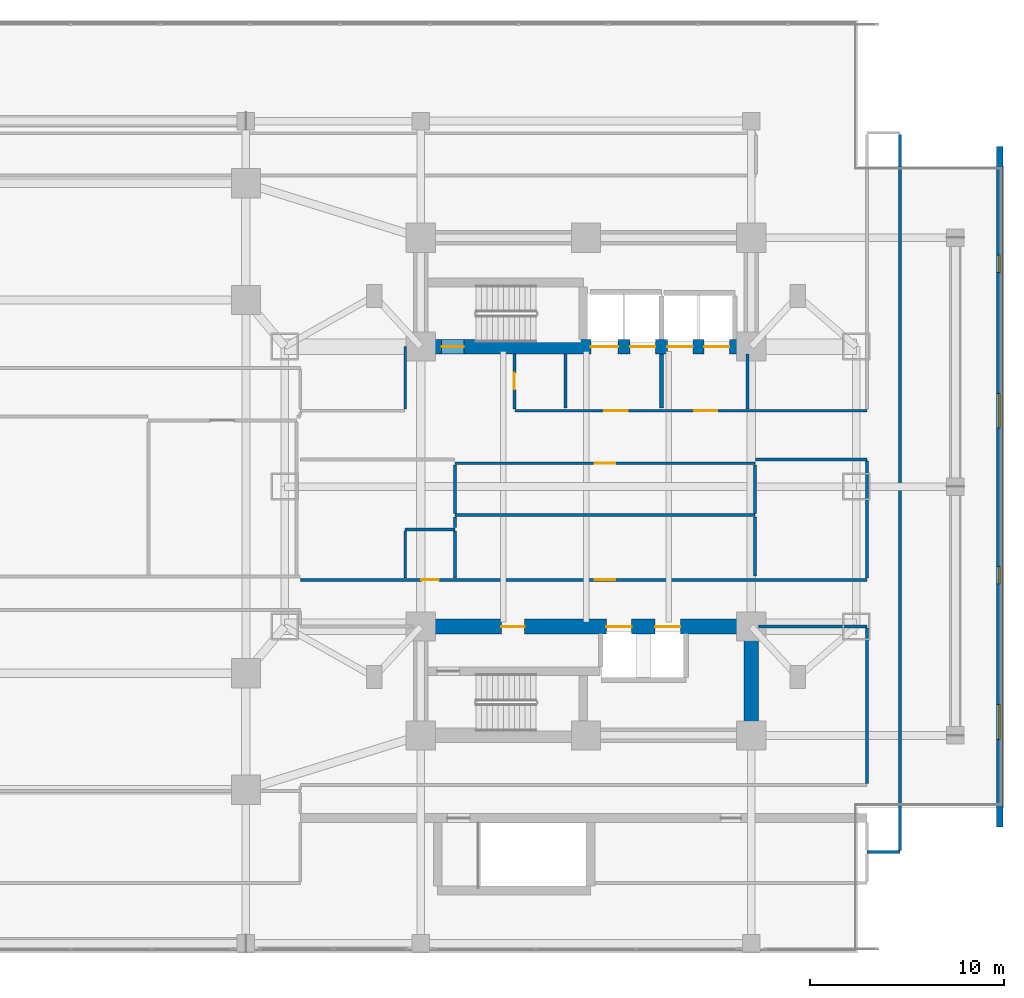
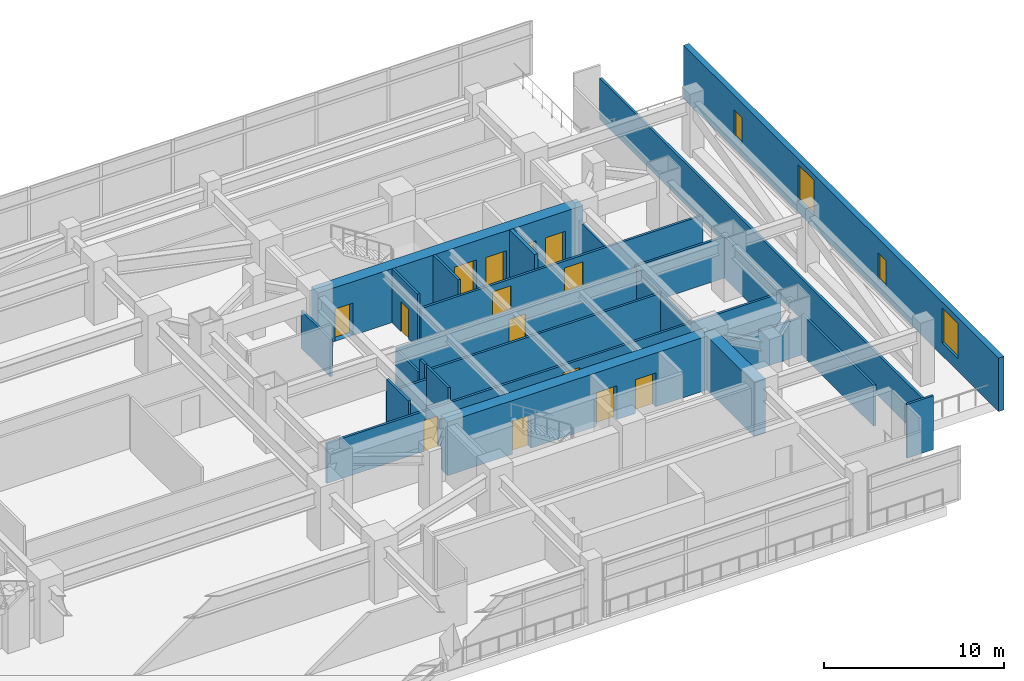
# One storey, part 19 of 27: 26 walls, 14 doors, 4 windows, 18 openings.
"""IFC4 building model written with IfcOpenShell, lengths in metres."""

from ifc_helpers import new_model, si_unit, direction, frame, frame_2d, origin, place, context, subcontext, project, spatial, rectangle, extrude, material, layer, layer_set, type_object, element, fill, save


model = new_model("IFC4")

# Units and contexts
model_context = context("Model", 3, precision=1e-05, world=origin(), true_north=direction((0.0, 1.0)))
body_context = subcontext(model_context, "Body", "Model", "MODEL_VIEW")
ifc_project = project(units=[si_unit("LENGTHUNIT", "METRE"), si_unit("AREAUNIT", "SQUARE_METRE"), si_unit("VOLUMEUNIT", "CUBIC_METRE"), si_unit("PLANEANGLEUNIT", "RADIAN"), si_unit("MASSUNIT", "GRAM", prefix="KILO")], contexts=[model_context])

# Site, building, storey
site_placement = place(None, origin())
site = spatial("IfcSite", under=ifc_project, at=site_placement, CompositionType="ELEMENT")
building_placement = place(site_placement, origin())
building = spatial("IfcBuilding", under=site, at=building_placement, Name="Mirazonda Arch Towers", CompositionType="ELEMENT")
storey_placement = place(building_placement, frame((0.0, 0.0, 18.10009765625)))
storey = spatial("IfcBuildingStorey", under=building, at=storey_placement, Name="L04", CompositionType="ELEMENT", Elevation=18.10009765625)

# Wall, openings, doors
ifc_material_1 = material(Name="Concrete C60/75", Category="concrete")
ifc_layer_1 = layer(ifc_material_1, 0.75, Name="WALL-CORE-750")
ifc_layer_set_1 = layer_set([ifc_layer_1], Name="Concrete C60/75")
wall_type_1 = type_object("IfcWallType", Name="WALL-CORE-750", PredefinedType="SHEAR", material=ifc_layer_set_1)
wall_1_placement = place(storey_placement, frame((68.0, 35.199951171875, 0.0), z_axis=(0.0, 0.0, 1.0), x_axis=(1.0, 0.0, 0.0)))
wall_1 = element("IfcWall", 1, at=wall_1_placement, inside=storey, type_object=wall_type_1, Name="L04 T2N-S Core Shear Wall", PredefinedType="SHEAR", context=body_context, shape_type="SweptSolid", body=[
    extrude(rectangle(XDim=17.0, YDim=0.75, at=frame_2d((8.5, 0.0))), origin(), (0.0, 0.0, 1.0), 3.64990234375),
])
opening_1_placement = place(wall_1_placement, frame((1.070068359375, 0.0, 0.0)))
opening_1 = element("IfcOpeningElement", 2, at=opening_1_placement, cuts=wall_1, Name="Opening DR-135", PredefinedType="OPENING", context=body_context, shape_type="SweptSolid", body=[
    extrude(rectangle(XDim=1.14990234375, YDim=2.199951171875, at=frame_2d((0.574951171875, 1.10009765625))), frame((0.0, 0.385009765625, 0.0), z_axis=(0.0, -1.0, 0.0), x_axis=(1.0, 0.0, 0.0)), (0.0, 0.0, 1.0), 0.77001953125),
])
opening_2_placement = place(wall_1_placement, frame((8.75, 0.0, 0.0)))
opening_2 = element("IfcOpeningElement", 3, at=opening_2_placement, cuts=wall_1, Name="Opening LD-112", PredefinedType="OPENING", context=body_context, shape_type="SweptSolid", body=[
    extrude(rectangle(XDim=1.39990234375, YDim=2.35009765625, at=frame_2d((0.699951171875, 1.175048828125))), frame((0.0, 0.385009765625, 0.0), z_axis=(0.0, -1.0, 0.0), x_axis=(1.0, 0.0, 0.0)), (0.0, 0.0, 1.0), 0.77001953125),
])
opening_3_placement = place(wall_1_placement, frame((10.77001953125, 0.0, 0.0)))
opening_3 = element("IfcOpeningElement", 4, at=opening_3_placement, cuts=wall_1, Name="Opening LD-111", PredefinedType="OPENING", context=body_context, shape_type="SweptSolid", body=[
    extrude(rectangle(XDim=1.300048828125, YDim=2.300048828125, at=frame_2d((0.64990234375, 1.14990234375))), frame((0.0, 0.385009765625, 0.0), z_axis=(0.0, -1.0, 0.0), x_axis=(1.0, 0.0, 0.0)), (0.0, 0.0, 1.0), 0.77001953125),
])
opening_4_placement = place(wall_1_placement, frame((12.68994140625, 0.0, 0.0)))
opening_4 = element("IfcOpeningElement", 5, at=opening_4_placement, cuts=wall_1, Name="Opening LD-111", PredefinedType="OPENING", context=body_context, shape_type="SweptSolid", body=[
    extrude(rectangle(XDim=1.300048828125, YDim=2.300048828125, at=frame_2d((0.64990234375, 1.14990234375))), frame((0.0, 0.385009765625, 0.0), z_axis=(0.0, -1.0, 0.0), x_axis=(1.0, 0.0, 0.0)), (0.0, 0.0, 1.0), 0.77001953125),
])
opening_5_placement = place(wall_1_placement, frame((14.570068359375, 0.0, 0.0)))
opening_5 = element("IfcOpeningElement", 6, at=opening_5_placement, cuts=wall_1, Name="Opening LD-111", PredefinedType="OPENING", context=body_context, shape_type="SweptSolid", body=[
    extrude(rectangle(XDim=1.300048828125, YDim=2.300048828125, at=frame_2d((0.64990234375, 1.14990234375))), frame((0.0, 0.385009765625, 0.0), z_axis=(0.0, -1.0, 0.0), x_axis=(1.0, 0.0, 0.0)), (0.0, 0.0, 1.0), 0.77001953125),
])
ifc_material_2 = material(Name="Architectural Brushed Steel S355", Category="steel")
door_type_1 = type_object("IfcDoorType", Name="DOOR-LIFT-FFL-1400", OperationType="NOTDEFINED", PredefinedType="DOOR", material=ifc_material_2)
door_1_placement = place(opening_2_placement, origin())
door_1 = element("IfcDoor", 7, at=door_1_placement, inside=storey, type_object=door_type_1, Name="L04 Lift Landing Sliding Door FFL-T2", OperationType="DOUBLE_DOOR_SLIDING", OverallHeight=2.35009765625, OverallWidth=1.39990234375, PredefinedType="DOOR", context=body_context, shape_type="SweptSolid", body=[
    extrude(rectangle(XDim=1.39990234375, YDim=2.35009765625, at=frame_2d((0.699951171875, 1.175048828125))), frame((0.0, 0.02490234375, 0.0), z_axis=(0.0, -1.0, 0.0), x_axis=(1.0, 0.0, 0.0)), (0.0, 0.0, 1.0), 0.050048828125),
])
fill(opening_2, door_1)
door_type_2 = type_object("IfcDoorType", Name="DOOR-LIFT-LAND-1300", OperationType="NOTDEFINED", PredefinedType="DOOR", material=ifc_material_2)
door_2_placement = place(opening_3_placement, origin())
door_2 = element("IfcDoor", 8, at=door_2_placement, inside=storey, type_object=door_type_2, Name="L04 Lift Landing Sliding Door SVL-T2", OperationType="DOUBLE_DOOR_SLIDING", OverallHeight=2.300048828125, OverallWidth=1.300048828125, PredefinedType="DOOR", context=body_context, shape_type="SweptSolid", body=[
    extrude(rectangle(XDim=1.300048828125, YDim=2.300048828125, at=frame_2d((0.64990234375, 1.14990234375))), frame((0.0, 0.02490234375, 0.0), z_axis=(0.0, -1.0, 0.0), x_axis=(1.0, 0.0, 0.0)), (0.0, 0.0, 1.0), 0.050048828125),
])
fill(opening_3, door_2)
door_3_placement = place(opening_4_placement, origin())
door_3 = element("IfcDoor", 9, at=door_3_placement, inside=storey, type_object=door_type_2, Name="L04 Lift Landing Sliding Door PL-T2L1", OperationType="DOUBLE_DOOR_SLIDING", OverallHeight=2.300048828125, OverallWidth=1.300048828125, PredefinedType="DOOR", context=body_context, shape_type="SweptSolid", body=[
    extrude(rectangle(XDim=1.300048828125, YDim=2.300048828125, at=frame_2d((0.64990234375, 1.14990234375))), frame((0.0, 0.02490234375, 0.0), z_axis=(0.0, -1.0, 0.0), x_axis=(1.0, 0.0, 0.0)), (0.0, 0.0, 1.0), 0.050048828125),
])
fill(opening_4, door_3)
door_4_placement = place(opening_5_placement, origin())
door_4 = element("IfcDoor", 10, at=door_4_placement, inside=storey, type_object=door_type_2, Name="L04 Lift Landing Sliding Door PL-T2L2", OperationType="DOUBLE_DOOR_SLIDING", OverallHeight=2.300048828125, OverallWidth=1.300048828125, PredefinedType="DOOR", context=body_context, shape_type="SweptSolid", body=[
    extrude(rectangle(XDim=1.300048828125, YDim=2.300048828125, at=frame_2d((0.64990234375, 1.14990234375))), frame((0.0, 0.02490234375, 0.0), z_axis=(0.0, -1.0, 0.0), x_axis=(1.0, 0.0, 0.0)), (0.0, 0.0, 1.0), 0.050048828125),
])
fill(opening_5, door_4)
door_type_3 = type_object("IfcDoorType", Name="DOOR-STAIR-FD90-1150", OperationType="NOTDEFINED", PredefinedType="DOOR", material=ifc_material_2)
door_5_placement = place(opening_1_placement, origin())
door_5 = element("IfcDoor", 11, at=door_5_placement, inside=storey, type_object=door_type_3, Name="L04 East Protected Stair North Door", OperationType="SINGLE_SWING_RIGHT", OverallHeight=2.199951171875, OverallWidth=1.14990234375, PredefinedType="DOOR", context=body_context, shape_type="SweptSolid", body=[
    extrude(rectangle(XDim=1.14990234375, YDim=2.199951171875, at=frame_2d((0.574951171875, 1.10009765625))), frame((0.0, 0.02490234375, 0.0), z_axis=(0.0, -1.0, 0.0), x_axis=(1.0, 0.0, 0.0)), (0.0, 0.0, 1.0), 0.050048828125),
])
fill(opening_1, door_5)

# Wall
wall_2_placement = place(storey_placement, frame((85.0, 15.199951171875, 0.0), z_axis=(0.0, 0.0, 1.0), x_axis=(0.0, 1.0, 0.0)))
element("IfcWall", 12, at=wall_2_placement, inside=storey, type_object=wall_type_1, Name="L04 T2S-E Core Shear Wall", PredefinedType="SHEAR", context=body_context, shape_type="SweptSolid", body=[
    extrude(rectangle(XDim=5.60009765625, YDim=0.75, at=frame_2d((2.800048828125, 0.0))), origin(), (0.0, 0.0, 1.0), 3.64990234375),
])

# Wall, openings, doors
wall_3_placement = place(storey_placement, frame((68.0, 20.800048828125, 0.0), z_axis=(0.0, 0.0, 1.0), x_axis=(1.0, 0.0, 0.0)))
wall_3 = element("IfcWall", 13, at=wall_3_placement, inside=storey, type_object=wall_type_1, Name="L04 T2S-N Core Shear Wall", PredefinedType="SHEAR", context=body_context, shape_type="SweptSolid", body=[
    extrude(rectangle(XDim=17.0, YDim=0.75, at=frame_2d((8.5, 0.0))), origin(), (0.0, 0.0, 1.0), 3.64990234375),
])
opening_6_placement = place(wall_3_placement, frame((4.14501953125, 0.0, 0.0)))
opening_6 = element("IfcOpeningElement", 14, at=opening_6_placement, cuts=wall_3, Name="Opening DR-117", PredefinedType="OPENING", context=body_context, shape_type="SweptSolid", body=[
    extrude(rectangle(XDim=1.199951171875, YDim=2.25, at=frame_2d((0.60009765625, 1.125))), frame((0.0, 0.385009765625, 0.0), z_axis=(0.0, -1.0, 0.0), x_axis=(1.0, 0.0, 0.0)), (0.0, 0.0, 1.0), 0.77001953125),
])
opening_7_placement = place(wall_3_placement, frame((9.550048828125, 0.0, 0.0)))
opening_7 = element("IfcOpeningElement", 15, at=opening_7_placement, cuts=wall_3, Name="Opening LD-111", PredefinedType="OPENING", context=body_context, shape_type="SweptSolid", body=[
    extrude(rectangle(XDim=1.300048828125, YDim=2.300048828125, at=frame_2d((0.64990234375, 1.14990234375))), frame((0.0, 0.385009765625, 0.0), z_axis=(0.0, -1.0, 0.0), x_axis=(1.0, 0.0, 0.0)), (0.0, 0.0, 1.0), 0.77001953125),
])
opening_8_placement = place(wall_3_placement, frame((12.050048828125, 0.0, 0.0)))
opening_8 = element("IfcOpeningElement", 16, at=opening_8_placement, cuts=wall_3, Name="Opening LD-111", PredefinedType="OPENING", context=body_context, shape_type="SweptSolid", body=[
    extrude(rectangle(XDim=1.300048828125, YDim=2.300048828125, at=frame_2d((0.64990234375, 1.14990234375))), frame((0.0, 0.385009765625, 0.0), z_axis=(0.0, -1.0, 0.0), x_axis=(1.0, 0.0, 0.0)), (0.0, 0.0, 1.0), 0.77001953125),
])
door_type_4 = type_object("IfcDoorType", Name="DOOR-FFL-FD90-1200", OperationType="NOTDEFINED", PredefinedType="DOOR", material=ifc_material_2)
door_6_placement = place(opening_6_placement, origin())
door_6 = element("IfcDoor", 17, at=door_6_placement, inside=storey, type_object=door_type_4, Name="L04 East South Stair & Lift Lobby Door", OperationType="SINGLE_SWING_LEFT", OverallHeight=2.25, OverallWidth=1.199951171875, PredefinedType="DOOR", context=body_context, shape_type="SweptSolid", body=[
    extrude(rectangle(XDim=1.199951171875, YDim=2.25, at=frame_2d((0.60009765625, 1.125))), frame((0.0, 0.02490234375, 0.0), z_axis=(0.0, -1.0, 0.0), x_axis=(1.0, 0.0, 0.0)), (0.0, 0.0, 1.0), 0.050048828125),
])
fill(opening_6, door_6)
door_7_placement = place(opening_7_placement, origin())
door_7 = element("IfcDoor", 18, at=door_7_placement, inside=storey, type_object=door_type_2, Name="L04 Lift Landing Sliding Door PL-T2H1", OperationType="DOUBLE_DOOR_SLIDING", OverallHeight=2.300048828125, OverallWidth=1.300048828125, PredefinedType="DOOR", context=body_context, shape_type="SweptSolid", body=[
    extrude(rectangle(XDim=1.300048828125, YDim=2.300048828125, at=frame_2d((0.64990234375, 1.14990234375))), frame((0.0, 0.02490234375, 0.0), z_axis=(0.0, -1.0, 0.0), x_axis=(1.0, 0.0, 0.0)), (0.0, 0.0, 1.0), 0.050048828125),
])
fill(opening_7, door_7)
door_8_placement = place(opening_8_placement, origin())
door_8 = element("IfcDoor", 19, at=door_8_placement, inside=storey, type_object=door_type_2, Name="L04 Lift Landing Sliding Door PL-T2H2", OperationType="DOUBLE_DOOR_SLIDING", OverallHeight=2.300048828125, OverallWidth=1.300048828125, PredefinedType="DOOR", context=body_context, shape_type="SweptSolid", body=[
    extrude(rectangle(XDim=1.300048828125, YDim=2.300048828125, at=frame_2d((0.64990234375, 1.14990234375))), frame((0.0, 0.02490234375, 0.0), z_axis=(0.0, -1.0, 0.0), x_axis=(1.0, 0.0, 0.0)), (0.0, 0.0, 1.0), 0.050048828125),
])
fill(opening_8, door_8)

# Wall, openings, windows
ifc_material_3 = material(Name="Precast Concrete C40/50", Category="concrete")
ifc_layer_2 = layer(ifc_material_3, 0.35009765625, Name="WALL-EXT-WALL-350")
ifc_layer_set_2 = layer_set([ifc_layer_2], Name="Precast Concrete C40/50")
wall_type_2 = type_object("IfcWallType", Name="WALL-EXT-WALL-350", PredefinedType="SOLIDWALL", material=ifc_layer_set_2)
wall_4_placement = place(storey_placement, frame((97.780029296875, 10.5, 0.0), z_axis=(0.0, 0.0, 1.0), x_axis=(0.0, 1.0, 0.0)))
wall_4 = element("IfcWall", 20, at=wall_4_placement, inside=storey, type_object=wall_type_2, Name="L04 East Podium Terracotta Wall WL-L04-EE", PredefinedType="SOLIDWALL", context=body_context, shape_type="SweptSolid", body=[
    extrude(rectangle(XDim=35.0, YDim=0.35009765625, at=frame_2d((17.5, 0.0))), origin(), (0.0, 0.0, 1.0), 3.6298828125),
])
opening_9_placement = place(wall_4_placement, frame((4.5, 0.0, 0.85009765625)))
opening_9 = element("IfcOpeningElement", 21, at=opening_9_placement, cuts=wall_4, Name="Opening WN-128", PredefinedType="OPENING", context=body_context, shape_type="SweptSolid", body=[
    extrude(rectangle(XDim=1.800048828125, YDim=2.39990234375, at=frame_2d((0.89990234375, 1.199951171875))), frame((0.0, 0.18505859375, 0.0), z_axis=(0.0, -1.0, 0.0), x_axis=(1.0, 0.0, 0.0)), (0.0, 0.0, 1.0), 0.3701171875),
])
opening_10_placement = place(wall_4_placement, frame((12.5, 0.0, 0.85009765625)))
opening_10 = element("IfcOpeningElement", 22, at=opening_10_placement, cuts=wall_4, Name="Opening WN-101", PredefinedType="OPENING", context=body_context, shape_type="SweptSolid", body=[
    extrude(rectangle(XDim=0.89990234375, YDim=1.800048828125, at=frame_2d((0.449951171875, 0.89990234375))), frame((0.0, 0.18505859375, 0.0), z_axis=(0.0, -1.0, 0.0), x_axis=(1.0, 0.0, 0.0)), (0.0, 0.0, 1.0), 0.3701171875),
])
opening_11_placement = place(wall_4_placement, frame((20.5, 0.0, 0.85009765625)))
opening_11 = element("IfcOpeningElement", 23, at=opening_11_placement, cuts=wall_4, Name="Opening WN-128", PredefinedType="OPENING", context=body_context, shape_type="SweptSolid", body=[
    extrude(rectangle(XDim=1.800048828125, YDim=2.39990234375, at=frame_2d((0.89990234375, 1.199951171875))), frame((0.0, 0.18505859375, 0.0), z_axis=(0.0, -1.0, 0.0), x_axis=(1.0, 0.0, 0.0)), (0.0, 0.0, 1.0), 0.3701171875),
])
opening_12_placement = place(wall_4_placement, frame((28.5, 0.0, 0.85009765625)))
opening_12 = element("IfcOpeningElement", 24, at=opening_12_placement, cuts=wall_4, Name="Opening WN-101", PredefinedType="OPENING", context=body_context, shape_type="SweptSolid", body=[
    extrude(rectangle(XDim=0.89990234375, YDim=1.800048828125, at=frame_2d((0.449951171875, 0.89990234375))), frame((0.0, 0.18505859375, 0.0), z_axis=(0.0, -1.0, 0.0), x_axis=(1.0, 0.0, 0.0)), (0.0, 0.0, 1.0), 0.3701171875),
])
ifc_material_4 = material(Name="Insulated Low-E Solar Glass", Category="glass")
window_type_1 = type_object("IfcWindowType", Name="WIN-POD-1800x2400", PartitioningType="SINGLE_PANEL", PredefinedType="WINDOW", material=ifc_material_4)
window_1_placement = place(opening_9_placement, origin())
window_1 = element("IfcWindow", 25, at=window_1_placement, inside=storey, type_object=window_type_1, Name="L04 Punched Facade Window WN-L04-EE1", OverallHeight=2.39990234375, OverallWidth=1.800048828125, PartitioningType="SINGLE_PANEL", PredefinedType="WINDOW", context=body_context, shape_type="SweptSolid", body=[
    extrude(rectangle(XDim=1.800048828125, YDim=2.39990234375, at=frame_2d((0.89990234375, 1.199951171875))), frame((0.0, 0.030029296875, 0.0), z_axis=(0.0, -1.0, 0.0), x_axis=(1.0, 0.0, 0.0)), (0.0, 0.0, 1.0), 0.06005859375),
])
fill(opening_9, window_1)
window_2_placement = place(opening_11_placement, origin())
window_2 = element("IfcWindow", 26, at=window_2_placement, inside=storey, type_object=window_type_1, Name="L04 Punched Facade Window WN-L04-EE3", OverallHeight=2.39990234375, OverallWidth=1.800048828125, PartitioningType="SINGLE_PANEL", PredefinedType="WINDOW", context=body_context, shape_type="SweptSolid", body=[
    extrude(rectangle(XDim=1.800048828125, YDim=2.39990234375, at=frame_2d((0.89990234375, 1.199951171875))), frame((0.0, 0.030029296875, 0.0), z_axis=(0.0, -1.0, 0.0), x_axis=(1.0, 0.0, 0.0)), (0.0, 0.0, 1.0), 0.06005859375),
])
fill(opening_11, window_2)
window_type_2 = type_object("IfcWindowType", Name="WIN-STAIR-900x1800", PartitioningType="SINGLE_PANEL", PredefinedType="WINDOW", material=ifc_material_4)
window_3_placement = place(opening_10_placement, origin())
window_3 = element("IfcWindow", 27, at=window_3_placement, inside=storey, type_object=window_type_2, Name="L04 Punched Facade Window WN-L04-EE2", OverallHeight=1.800048828125, OverallWidth=0.89990234375, PartitioningType="SINGLE_PANEL", PredefinedType="WINDOW", context=body_context, shape_type="SweptSolid", body=[
    extrude(rectangle(XDim=0.89990234375, YDim=1.800048828125, at=frame_2d((0.449951171875, 0.89990234375))), frame((0.0, 0.030029296875, 0.0), z_axis=(0.0, -1.0, 0.0), x_axis=(1.0, 0.0, 0.0)), (0.0, 0.0, 1.0), 0.06005859375),
])
fill(opening_10, window_3)
window_4_placement = place(opening_12_placement, origin())
window_4 = element("IfcWindow", 28, at=window_4_placement, inside=storey, type_object=window_type_2, Name="L04 Punched Facade Window WN-L04-EE4", OverallHeight=1.800048828125, OverallWidth=0.89990234375, PartitioningType="SINGLE_PANEL", PredefinedType="WINDOW", context=body_context, shape_type="SweptSolid", body=[
    extrude(rectangle(XDim=0.89990234375, YDim=1.800048828125, at=frame_2d((0.449951171875, 0.89990234375))), frame((0.0, 0.030029296875, 0.0), z_axis=(0.0, -1.0, 0.0), x_axis=(1.0, 0.0, 0.0)), (0.0, 0.0, 1.0), 0.06005859375),
])
fill(opening_12, window_4)

# Walls
ifc_material_5 = material(Name="Concrete C40/50", Category="concrete")
ifc_layer_3 = layer(ifc_material_5, 0.219970703125, Name="WALL-FFL-220")
ifc_layer_set_3 = layer_set([ifc_layer_3], Name="Concrete C40/50")
wall_type_3 = type_object("IfcWallType", Name="WALL-FFL-220", PredefinedType="SOLIDWALL", material=ifc_layer_set_3)
wall_5_placement = place(storey_placement, frame((80.3798828125, 32.050048828125, 0.0), z_axis=(0.0, 0.0, 1.0), x_axis=(0.0, 1.0, 0.0)))
element("IfcWall", 29, at=wall_5_placement, inside=storey, type_object=wall_type_3, Name="L04 Interior Partition 103", PredefinedType="SOLIDWALL", context=body_context, shape_type="SweptSolid", body=[
    extrude(rectangle(XDim=2.780029296875, YDim=0.219970703125, at=frame_2d((1.39013671875, 0.0))), origin(), (0.0, 0.0, 1.0), 3.64990234375),
])
ifc_material_6 = material(Name="Fire-Rated Gypsum Stud Partition")
ifc_layer_4 = layer(ifc_material_6, 0.14990234375, Name="WALL-PART-CORR-150")
ifc_layer_set_4 = layer_set([ifc_layer_4], Name="Fire-Rated Gypsum Stud Partition")
wall_type_4 = type_object("IfcWallType", Name="WALL-PART-CORR-150", PredefinedType="PARTITIONING", material=ifc_layer_set_4)
wall_6_placement = place(storey_placement, frame((90.949951171875, 9.199951171875, 0.0), z_axis=(0.0, 0.0, 1.0), x_axis=(1.0, 0.0, 0.0)))
element("IfcWall", 30, at=wall_6_placement, inside=storey, type_object=wall_type_4, Name="L04 Interior Partition 006", PredefinedType="PARTITIONING", context=body_context, shape_type="SweptSolid", body=[
    extrude(rectangle(XDim=1.699951171875, YDim=0.14990234375, at=frame_2d((0.85009765625, 0.0))), origin(), (0.0, 0.0, 1.0), 3.64990234375),
])
wall_7_placement = place(storey_placement, frame((85.3701171875, 20.800048828125, 0.0), z_axis=(0.0, 0.0, 1.0), x_axis=(1.0, 0.0, 0.0)))
element("IfcWall", 31, at=wall_7_placement, inside=storey, type_object=wall_type_4, Name="L04 Interior Partition 023", PredefinedType="PARTITIONING", context=body_context, shape_type="SweptSolid", body=[
    extrude(rectangle(XDim=5.579833984375, YDim=0.14990234375, at=frame_2d((2.7900390625, 0.0))), origin(), (0.0, 0.0, 1.0), 2.5419921875),
])

# Wall, openings, doors
wall_8_placement = place(storey_placement, frame((61.800048828125, 23.199951171875, 0.0), z_axis=(0.0, 0.0, 1.0), x_axis=(1.0, 0.0, 0.0)))
wall_8 = element("IfcWall", 32, at=wall_8_placement, inside=storey, type_object=wall_type_4, Name="L04 Interior Partition 025", PredefinedType="PARTITIONING", context=body_context, shape_type="SweptSolid", body=[
    extrude(rectangle(XDim=29.14990234375, YDim=0.14990234375, at=frame_2d((14.574951171875, 0.0))), origin(), (0.0, 0.0, 1.0), 2.71484375),
])
opening_13_placement = place(wall_8_placement, frame((6.22509765625, 0.0, 0.0)))
opening_13 = element("IfcOpeningElement", 33, at=opening_13_placement, cuts=wall_8, Name="Opening DR-120", PredefinedType="OPENING", context=body_context, shape_type="SweptSolid", body=[
    extrude(rectangle(XDim=0.89990234375, YDim=2.10009765625, at=frame_2d((0.449951171875, 1.050048828125))), frame((0.0, 0.0849609375, 0.0), z_axis=(0.0, -1.0, 0.0), x_axis=(1.0, 0.0, 0.0)), (0.0, 0.0, 1.0), 0.169921875),
])
opening_14_placement = place(wall_8_placement, frame((15.14990234375, 0.0, 0.0)))
opening_14 = element("IfcOpeningElement", 34, at=opening_14_placement, cuts=wall_8, Name="Opening DR-121", PredefinedType="OPENING", context=body_context, shape_type="SweptSolid", body=[
    extrude(rectangle(XDim=1.050048828125, YDim=2.199951171875, at=frame_2d((0.52490234375, 1.10009765625))), frame((0.0, 0.0849609375, 0.0), z_axis=(0.0, -1.0, 0.0), x_axis=(1.0, 0.0, 0.0)), (0.0, 0.0, 1.0), 0.169921875),
])
door_type_5 = type_object("IfcDoorType", Name="DOOR-SUITE-FD60-1050", OperationType="NOTDEFINED", PredefinedType="DOOR", material=ifc_material_2)
door_9_placement = place(opening_14_placement, origin())
door_9 = element("IfcDoor", 35, at=door_9_placement, inside=storey, type_object=door_type_5, Name="L04 Herbal Tea Elixir Lounge Door", OperationType="SINGLE_SWING_RIGHT", OverallHeight=2.199951171875, OverallWidth=1.050048828125, PredefinedType="DOOR", context=body_context, shape_type="SweptSolid", body=[
    extrude(rectangle(XDim=1.050048828125, YDim=2.199951171875, at=frame_2d((0.52490234375, 1.10009765625))), frame((0.0, 0.02490234375, 0.0), z_axis=(0.0, -1.0, 0.0), x_axis=(1.0, 0.0, 0.0)), (0.0, 0.0, 1.0), 0.050048828125),
])
fill(opening_14, door_9)
door_type_6 = type_object("IfcDoorType", Name="DOOR-WC-900", OperationType="NOTDEFINED", PredefinedType="DOOR", material=ifc_material_2)
door_10_placement = place(opening_13_placement, origin())
door_10 = element("IfcDoor", 36, at=door_10_placement, inside=storey, type_object=door_type_6, Name="L04 Tower 2 Podium Accessible WC Door", OperationType="SINGLE_SWING_LEFT", OverallHeight=2.10009765625, OverallWidth=0.89990234375, PredefinedType="DOOR", context=body_context, shape_type="SweptSolid", body=[
    extrude(rectangle(XDim=0.89990234375, YDim=2.10009765625, at=frame_2d((0.449951171875, 1.050048828125))), frame((0.0, 0.02490234375, 0.0), z_axis=(0.0, -1.0, 0.0), x_axis=(1.0, 0.0, 0.0)), (0.0, 0.0, 1.0), 0.050048828125),
])
fill(opening_13, door_10)

# Walls
wall_9_placement = place(storey_placement, frame((67.199951171875, 25.800048828125, 0.0), z_axis=(0.0, 0.0, 1.0), x_axis=(1.0, 0.0, 0.0)))
element("IfcWall", 37, at=wall_9_placement, inside=storey, type_object=wall_type_4, Name="L04 Interior Partition 028", PredefinedType="PARTITIONING", context=body_context, shape_type="SweptSolid", body=[
    extrude(rectangle(XDim=2.550048828125, YDim=0.14990234375, at=frame_2d((1.27490234375, 0.0))), origin(), (0.0, 0.0, 1.0), 2.71484375),
])
wall_10_placement = place(storey_placement, frame((69.75, 26.531982421875, 0.0), z_axis=(0.0, 0.0, 1.0), x_axis=(1.0, 0.0, 0.0)))
element("IfcWall", 38, at=wall_10_placement, inside=storey, type_object=wall_type_4, Name="L04 Interior Partition 029", PredefinedType="PARTITIONING", context=body_context, shape_type="SweptSolid", body=[
    extrude(rectangle(XDim=15.449951171875, YDim=0.14990234375, at=frame_2d((7.72509765625, 0.0))), origin(), (0.0, 0.0, 1.0), 2.71484375),
])

# Wall, opening, door
wall_11_placement = place(storey_placement, frame((69.75, 29.199951171875, 0.0), z_axis=(0.0, 0.0, 1.0), x_axis=(1.0, 0.0, 0.0)))
wall_11 = element("IfcWall", 39, at=wall_11_placement, inside=storey, type_object=wall_type_4, Name="L04 Interior Partition 030", PredefinedType="PARTITIONING", context=body_context, shape_type="SweptSolid", body=[
    extrude(rectangle(XDim=15.449951171875, YDim=0.14990234375, at=frame_2d((7.72509765625, 0.0))), origin(), (0.0, 0.0, 1.0), 2.71484375),
])
opening_15_placement = place(wall_11_placement, frame((7.199951171875, 0.0, 0.0)))
opening_15 = element("IfcOpeningElement", 40, at=opening_15_placement, cuts=wall_11, Name="Opening DR-121", PredefinedType="OPENING", context=body_context, shape_type="SweptSolid", body=[
    extrude(rectangle(XDim=1.050048828125, YDim=2.199951171875, at=frame_2d((0.52490234375, 1.10009765625))), frame((0.0, 0.0849609375, 0.0), z_axis=(0.0, -1.0, 0.0), x_axis=(1.0, 0.0, 0.0)), (0.0, 0.0, 1.0), 0.169921875),
])
door_11_placement = place(opening_15_placement, origin())
door_11 = element("IfcDoor", 41, at=door_11_placement, inside=storey, type_object=door_type_5, Name="L04 Consultation Wellness Study Door", OperationType="SINGLE_SWING_LEFT", OverallHeight=2.199951171875, OverallWidth=1.050048828125, PredefinedType="DOOR", context=body_context, shape_type="SweptSolid", body=[
    extrude(rectangle(XDim=1.050048828125, YDim=2.199951171875, at=frame_2d((0.52490234375, 1.10009765625))), frame((0.0, 0.02490234375, 0.0), z_axis=(0.0, -1.0, 0.0), x_axis=(1.0, 0.0, 0.0)), (0.0, 0.0, 1.0), 0.050048828125),
])
fill(opening_15, door_11)

# Wall
wall_12_placement = place(storey_placement, frame((85.219970703125, 29.39990234375, 0.0), z_axis=(0.0, 0.0, 1.0), x_axis=(1.0, 0.0, 0.0)))
element("IfcWall", 42, at=wall_12_placement, inside=storey, type_object=wall_type_4, Name="L04 Interior Partition 032", PredefinedType="PARTITIONING", context=body_context, shape_type="SweptSolid", body=[
    extrude(rectangle(XDim=5.72998046875, YDim=0.14990234375, at=frame_2d((2.864990234375, 0.0))), origin(), (0.0, 0.0, 1.0), 2.785888671875),
])

# Wall, openings, doors
wall_13_placement = place(storey_placement, frame((72.85009765625, 31.89990234375, 0.0), z_axis=(0.0, 0.0, 1.0), x_axis=(1.0, 0.0, 0.0)))
wall_13 = element("IfcWall", 43, at=wall_13_placement, inside=storey, type_object=wall_type_4, Name="L04 Interior Partition 038", PredefinedType="PARTITIONING", context=body_context, shape_type="SweptSolid", body=[
    extrude(rectangle(XDim=18.099853515625, YDim=0.14990234375, at=frame_2d((9.0498046875, 0.0))), origin(), (0.0, 0.0, 1.0), 2.71484375),
])
opening_16_placement = place(wall_13_placement, frame((9.2099609375, 0.0, 0.0)))
opening_16 = element("IfcOpeningElement", 44, at=opening_16_placement, cuts=wall_13, Name="Opening DR-117", PredefinedType="OPENING", context=body_context, shape_type="SweptSolid", body=[
    extrude(rectangle(XDim=1.199951171875, YDim=2.25, at=frame_2d((0.60009765625, 1.125))), frame((0.0, 0.0849609375, 0.0), z_axis=(0.0, -1.0, 0.0), x_axis=(1.0, 0.0, 0.0)), (0.0, 0.0, 1.0), 0.169921875),
])
opening_17_placement = place(wall_13_placement, frame((4.590087890625, 0.0, 0.0)))
opening_17 = element("IfcOpeningElement", 45, at=opening_17_placement, cuts=wall_13, Name="Opening DR-117", PredefinedType="OPENING", context=body_context, shape_type="SweptSolid", body=[
    extrude(rectangle(XDim=1.199951171875, YDim=2.25, at=frame_2d((0.60009765625, 1.125))), frame((0.0, 0.0849609375, 0.0), z_axis=(0.0, -1.0, 0.0), x_axis=(1.0, 0.0, 0.0)), (0.0, 0.0, 1.0), 0.169921875),
])
door_12_placement = place(opening_16_placement, origin())
door_12 = element("IfcDoor", 46, at=door_12_placement, inside=storey, type_object=door_type_4, Name="L04 East Passenger Lift Lobby Door", OperationType="SINGLE_SWING_LEFT", OverallHeight=2.25, OverallWidth=1.199951171875, PredefinedType="DOOR", context=body_context, shape_type="SweptSolid", body=[
    extrude(rectangle(XDim=1.199951171875, YDim=2.25, at=frame_2d((0.60009765625, 1.125))), frame((0.0, 0.02490234375, 0.0), z_axis=(0.0, -1.0, 0.0), x_axis=(1.0, 0.0, 0.0)), (0.0, 0.0, 1.0), 0.050048828125),
])
fill(opening_16, door_12)
door_13_placement = place(opening_17_placement, origin())
door_13 = element("IfcDoor", 47, at=door_13_placement, inside=storey, type_object=door_type_4, Name="L04 East Firefighting Lift Lobby Door", OperationType="SINGLE_SWING_LEFT", OverallHeight=2.25, OverallWidth=1.199951171875, PredefinedType="DOOR", context=body_context, shape_type="SweptSolid", body=[
    extrude(rectangle(XDim=1.199951171875, YDim=2.25, at=frame_2d((0.60009765625, 1.125))), frame((0.0, 0.02490234375, 0.0), z_axis=(0.0, -1.0, 0.0), x_axis=(1.0, 0.0, 0.0)), (0.0, 0.0, 1.0), 0.050048828125),
])
fill(opening_17, door_13)

# Walls
wall_14_placement = place(storey_placement, frame((67.199951171875, 23.284912109375, 0.0), z_axis=(0.0, 0.0, 1.0), x_axis=(0.0, 1.0, 0.0)))
element("IfcWall", 48, at=wall_14_placement, inside=storey, type_object=wall_type_4, Name="L04 Interior Partition 091", PredefinedType="PARTITIONING", context=body_context, shape_type="SweptSolid", body=[
    extrude(rectangle(XDim=2.43017578125, YDim=0.14990234375, at=frame_2d((1.215087890625, 0.0))), origin(), (0.0, 0.0, 1.0), 3.64990234375),
])
wall_15_placement = place(storey_placement, frame((67.199951171875, 31.985107421875, 0.0), z_axis=(0.0, 0.0, 1.0), x_axis=(0.0, 1.0, 0.0)))
element("IfcWall", 49, at=wall_15_placement, inside=storey, type_object=wall_type_4, Name="L04 Interior Partition 092", PredefinedType="PARTITIONING", context=body_context, shape_type="SweptSolid", body=[
    extrude(rectangle(XDim=3.21484375, YDim=0.14990234375, at=frame_2d((1.607421875, 0.0))), origin(), (0.0, 0.0, 1.0), 2.5419921875),
])
wall_16_placement = place(storey_placement, frame((69.75, 23.284912109375, 0.0), z_axis=(0.0, 0.0, 1.0), x_axis=(0.0, 1.0, 0.0)))
element("IfcWall", 50, at=wall_16_placement, inside=storey, type_object=wall_type_4, Name="L04 Interior Partition 094", PredefinedType="PARTITIONING", context=body_context, shape_type="SweptSolid", body=[
    extrude(rectangle(XDim=2.43017578125, YDim=0.14990234375, at=frame_2d((1.215087890625, 0.0))), origin(), (0.0, 0.0, 1.0), 3.64990234375),
])
wall_17_placement = place(storey_placement, frame((69.75, 25.885009765625, 0.0), z_axis=(0.0, 0.0, 1.0), x_axis=(0.0, 1.0, 0.0)))
element("IfcWall", 51, at=wall_17_placement, inside=storey, type_object=wall_type_4, Name="L04 Interior Partition 095", PredefinedType="PARTITIONING", context=body_context, shape_type="SweptSolid", body=[
    extrude(rectangle(XDim=0.56201171875, YDim=0.14990234375, at=frame_2d((0.281005859375, 0.0))), origin(), (0.0, 0.0, 1.0), 3.64990234375),
])
wall_18_placement = place(storey_placement, frame((69.75, 26.616943359375, 0.0), z_axis=(0.0, 0.0, 1.0), x_axis=(0.0, 1.0, 0.0)))
element("IfcWall", 52, at=wall_18_placement, inside=storey, type_object=wall_type_4, Name="L04 Interior Partition 096", PredefinedType="PARTITIONING", context=body_context, shape_type="SweptSolid", body=[
    extrude(rectangle(XDim=2.498046875, YDim=0.14990234375, at=frame_2d((1.2490234375, 0.0))), origin(), (0.0, 0.0, 1.0), 2.71484375),
])

# Wall, opening, door
wall_19_placement = place(storey_placement, frame((72.81005859375, 31.985107421875, 0.0), z_axis=(0.0, 0.0, 1.0), x_axis=(0.0, 1.0, 0.0)))
wall_19 = element("IfcWall", 53, at=wall_19_placement, inside=storey, type_object=wall_type_4, Name="L04 Interior Partition 097", PredefinedType="PARTITIONING", context=body_context, shape_type="SweptSolid", body=[
    extrude(rectangle(XDim=2.844970703125, YDim=0.14990234375, at=frame_2d((1.42236328125, 0.0))), origin(), (0.0, 0.0, 1.0), 3.64990234375),
])
opening_18_placement = place(wall_19_placement, frame((1.010009765625, 0.0, 0.0)))
opening_18 = element("IfcOpeningElement", 54, at=opening_18_placement, cuts=wall_19, Name="Opening DR-128", PredefinedType="OPENING", context=body_context, shape_type="SweptSolid", body=[
    extrude(rectangle(XDim=0.85009765625, YDim=2.010009765625, at=frame_2d((0.425048828125, 1.0048828125))), frame((0.0, 0.0849609375, 0.0), z_axis=(0.0, -1.0, 0.0), x_axis=(1.0, 0.0, 0.0)), (0.0, 0.0, 1.0), 0.169921875),
])
door_type_7 = type_object("IfcDoorType", Name="DOOR-RISER-FD60-850", OperationType="NOTDEFINED", PredefinedType="DOOR", material=ifc_material_2)
door_14_placement = place(opening_18_placement, origin())
door_14 = element("IfcDoor", 55, at=door_14_placement, inside=storey, type_object=door_type_7, Name="L04 Tower 2 Core Service Room Door", OperationType="SINGLE_SWING_RIGHT", OverallHeight=2.010009765625, OverallWidth=0.85009765625, PredefinedType="DOOR", context=body_context, shape_type="SweptSolid", body=[
    extrude(rectangle(XDim=0.85009765625, YDim=2.010009765625, at=frame_2d((0.425048828125, 1.0048828125))), frame((0.0, 0.02490234375, 0.0), z_axis=(0.0, -1.0, 0.0), x_axis=(1.0, 0.0, 0.0)), (0.0, 0.0, 1.0), 0.050048828125),
])
fill(opening_18, door_14)

# Walls
wall_20_placement = place(storey_placement, frame((75.449951171875, 32.050048828125, 0.0), z_axis=(0.0, 0.0, 1.0), x_axis=(0.0, 1.0, 0.0)))
element("IfcWall", 56, at=wall_20_placement, inside=storey, type_object=wall_type_4, Name="L04 Interior Partition 098", PredefinedType="PARTITIONING", context=body_context, shape_type="SweptSolid", body=[
    extrude(rectangle(XDim=2.780029296875, YDim=0.14990234375, at=frame_2d((1.39013671875, 0.0))), origin(), (0.0, 0.0, 1.0), 3.64990234375),
])
wall_21_placement = place(storey_placement, frame((84.800048828125, 31.985107421875, 0.0), z_axis=(0.0, 0.0, 1.0), x_axis=(0.0, 1.0, 0.0)))
element("IfcWall", 57, at=wall_21_placement, inside=storey, type_object=wall_type_4, Name="L04 Interior Partition 107", PredefinedType="PARTITIONING", context=body_context, shape_type="SweptSolid", body=[
    extrude(rectangle(XDim=2.844970703125, YDim=0.14990234375, at=frame_2d((1.42236328125, 0.0))), origin(), (0.0, 0.0, 1.0), 2.71484375),
])
wall_22_placement = place(storey_placement, frame((85.199951171875, 23.39990234375, 0.0), z_axis=(0.0, 0.0, 1.0), x_axis=(0.0, 1.0, 0.0)))
element("IfcWall", 58, at=wall_22_placement, inside=storey, type_object=wall_type_4, Name="L04 Interior Partition 108", PredefinedType="PARTITIONING", context=body_context, shape_type="SweptSolid", body=[
    extrude(rectangle(XDim=3.047119140625, YDim=0.14990234375, at=frame_2d((1.5234375, 0.0))), origin(), (0.0, 0.0, 1.0), 2.71484375),
])
wall_23_placement = place(storey_placement, frame((85.199951171875, 26.616943359375, 0.0), z_axis=(0.0, 0.0, 1.0), x_axis=(0.0, 1.0, 0.0)))
element("IfcWall", 59, at=wall_23_placement, inside=storey, type_object=wall_type_4, Name="L04 Interior Partition 109", PredefinedType="PARTITIONING", context=body_context, shape_type="SweptSolid", body=[
    extrude(rectangle(XDim=2.498046875, YDim=0.14990234375, at=frame_2d((1.2490234375, 0.0))), origin(), (0.0, 0.0, 1.0), 2.71484375),
])
wall_24_placement = place(storey_placement, frame((90.949951171875, 12.735107421875, 0.0), z_axis=(0.0, 0.0, 1.0), x_axis=(0.0, 1.0, 0.0)))
element("IfcWall", 60, at=wall_24_placement, inside=storey, type_object=wall_type_4, Name="L04 Interior Partition 113", PredefinedType="PARTITIONING", context=body_context, shape_type="SweptSolid", body=[
    extrude(rectangle(XDim=7.97998046875, YDim=0.14990234375, at=frame_2d((3.989990234375, 0.0))), origin(), (0.0, 0.0, 1.0), 2.785888671875),
])
wall_25_placement = place(storey_placement, frame((90.949951171875, 23.284912109375, 0.0), z_axis=(0.0, 0.0, 1.0), x_axis=(0.0, 1.0, 0.0)))
element("IfcWall", 61, at=wall_25_placement, inside=storey, type_object=wall_type_4, Name="L04 Interior Partition 114", PredefinedType="PARTITIONING", context=body_context, shape_type="SweptSolid", body=[
    extrude(rectangle(XDim=6.030029296875, YDim=0.14990234375, at=frame_2d((3.01513671875, 0.0))), origin(), (0.0, 0.0, 1.0), 2.868896484375),
])
wall_26_placement = place(storey_placement, frame((92.64990234375, 9.284912109375, 0.0), z_axis=(0.0, 0.0, 1.0), x_axis=(0.0, 1.0, 0.0)))
element("IfcWall", 62, at=wall_26_placement, inside=storey, type_object=wall_type_4, Name="L04 Interior Partition 116", PredefinedType="PARTITIONING", context=body_context, shape_type="SweptSolid", body=[
    extrude(rectangle(XDim=36.830078125, YDim=0.14990234375, at=frame_2d((18.4150390625, 0.0))), origin(), (0.0, 0.0, 1.0), 2.785888671875),
])

save(model, "model.ifc")
